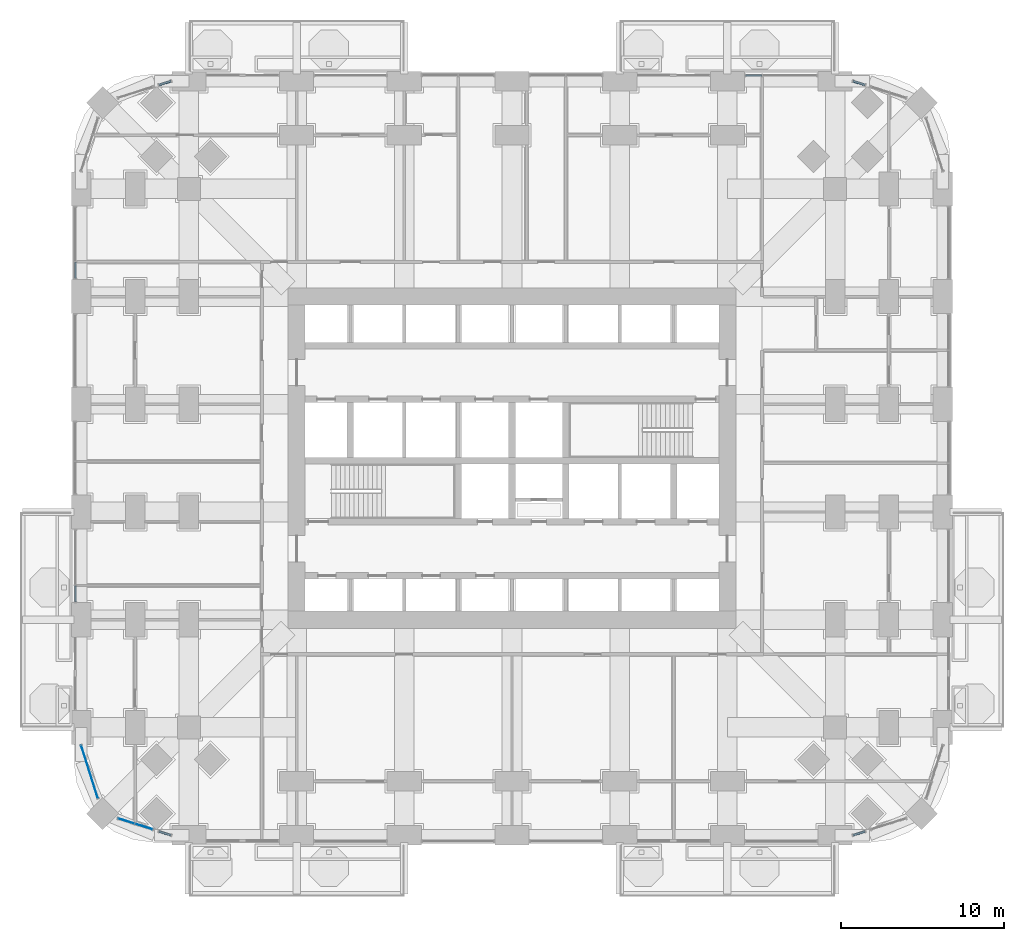
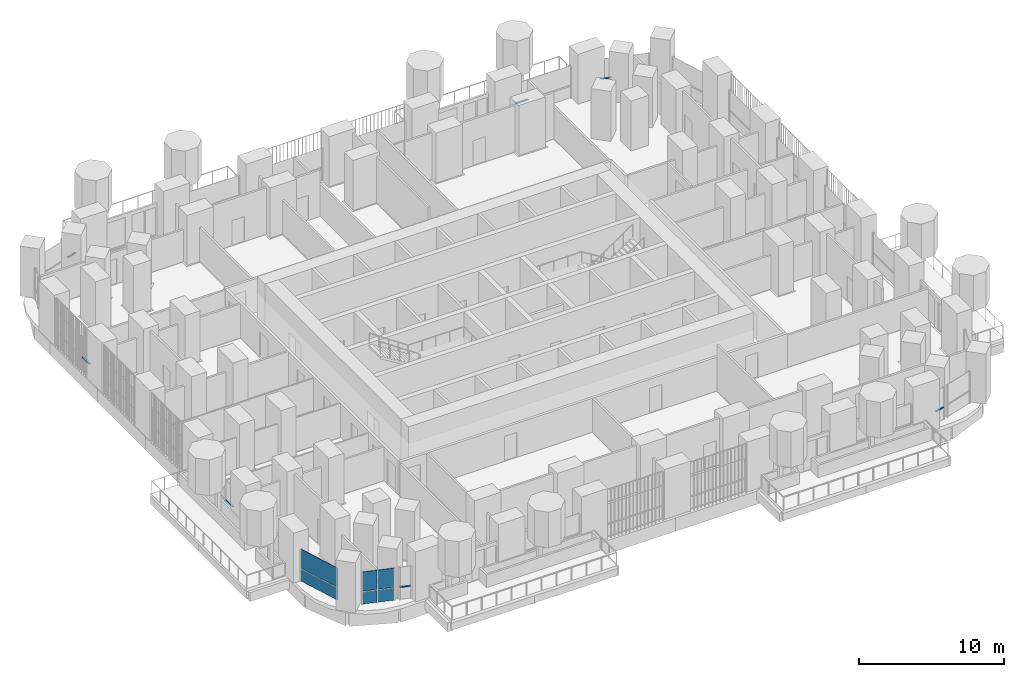
# One storey, part 11 of 27: 7 members, 6 plates, 9 elements without a shape of their own.
"""IFC4 building model written with IfcOpenShell, lengths in metres."""

from ifc_helpers import new_model, si_unit, direction, frame, origin, origin_2d, place, context, subcontext, project, spatial, rectangle, extrude, material, layer, layer_set, material_profile, profile_set, type_object, element, aggregate, save


model = new_model("IFC4")

# Units and contexts
model_context = context("Model", 3, precision=1e-05, world=origin(), true_north=direction((0.0, 1.0)))
body_context = subcontext(model_context, "Body", "Model", "MODEL_VIEW")
ifc_project = project(units=[si_unit("LENGTHUNIT", "METRE"), si_unit("AREAUNIT", "SQUARE_METRE"), si_unit("VOLUMEUNIT", "CUBIC_METRE"), si_unit("PLANEANGLEUNIT", "RADIAN"), si_unit("MASSUNIT", "GRAM", prefix="KILO")], contexts=[model_context])

# Site, building, storey
site_placement = place(None, origin())
site = spatial("IfcSite", under=ifc_project, at=site_placement, CompositionType="ELEMENT")
building_placement = place(site_placement, origin())
building = spatial("IfcBuilding", under=site, at=building_placement, Name="Cobogo Forest Laboratory Tower", CompositionType="ELEMENT")
storey_placement = place(building_placement, frame((0.0, 0.0, 29.699951171875)))
storey = spatial("IfcBuildingStorey", under=building, at=storey_placement, Name="L06", CompositionType="ELEMENT", Elevation=29.699951171875)

# Curtain wall, member
ifc_material_1 = material(Name="Aluminium curtain wall", Category="aluminium")
curtain_wall_type = type_object("IfcCurtainWallType", Name="CW-1 unitised curtain wall, clear glazing, laboratory floors zones A and B", PredefinedType="USERDEFINED", material=ifc_material_1)
curtain_wall_1_placement = place(storey_placement, origin())
curtain_wall_1 = element("IfcCurtainWall", 1, at=curtain_wall_1_placement, inside=storey, type_object=curtain_wall_type, Name="Curtain wall 07 L06", ObjectType="UNITISED CURTAIN WALL", PredefinedType="USERDEFINED")
ifc_material_2 = material(Name="Aluminium transom", Category="aluminium")
ifc_material_profile = material_profile(ifc_material_2, rectangle(XDim=0.1201171875, YDim=0.06005859375, at=origin_2d()), Name="AL 60x120")
ifc_profile_set = profile_set([ifc_material_profile], Name="Aluminium transom")
member_type = type_object("IfcMemberType", Name="TR-1 aluminium transom 60x120", PredefinedType="USERDEFINED", material=ifc_profile_set)
member_1_placement = place(storey_placement, frame((47.30712890625, -0.000244140625, 1.050048828125), z_axis=(0.95359247203, 0.301100311005, 0.0), x_axis=(-0.301100311005, 0.95359247203, 0.0)))
member_1 = element("IfcMember", 2, at=member_1_placement, type_object=member_type, Name="CW-1 transom 1.1", ObjectType="TRANSOM", PredefinedType="USERDEFINED", context=body_context, shape_type="SweptSolid", body=[
    extrude(rectangle(XDim=0.1201171875, YDim=0.06005859375, at=origin_2d()), origin(), (0.0, 0.0, 1.0), 0.75244140625),
])
aggregate(curtain_wall_1, [member_1])

curtain_wall_2_placement = place(storey_placement, origin())
curtain_wall_2 = element("IfcCurtainWall", 3, at=curtain_wall_2_placement, inside=storey, type_object=curtain_wall_type, Name="Curtain wall 17 L06", ObjectType="UNITISED CURTAIN WALL", PredefinedType="USERDEFINED")
member_2_placement = place(storey_placement, frame((48.024658203125, 45.973876953125, 1.050048828125), z_axis=(-0.95359247203, 0.301100311005, 0.0), x_axis=(-0.301100311005, -0.95359247203, 0.0)))
member_2 = element("IfcMember", 4, at=member_2_placement, type_object=member_type, Name="CW-1 transom 1.1", ObjectType="TRANSOM", PredefinedType="USERDEFINED", context=body_context, shape_type="SweptSolid", body=[
    extrude(rectangle(XDim=0.1201171875, YDim=0.06005859375, at=origin_2d()), origin(), (0.0, 0.0, 1.0), 0.75244140625),
])
aggregate(curtain_wall_2, [member_2])

curtain_wall_3_placement = place(storey_placement, origin())
curtain_wall_3 = element("IfcCurtainWall", 5, at=curtain_wall_3_placement, inside=storey, type_object=curtain_wall_type, Name="Curtain wall 18 L06", ObjectType="UNITISED CURTAIN WALL", PredefinedType="USERDEFINED")
member_3_placement = place(storey_placement, frame((41.695068359375, 46.550048828125, 1.050048828125), z_axis=(-1.0, 0.0, 0.0), x_axis=(0.0, -1.0, 0.0)))
member_3 = element("IfcMember", 6, at=member_3_placement, type_object=member_type, Name="CW-1 transom 2.1", ObjectType="TRANSOM", PredefinedType="USERDEFINED", context=body_context, shape_type="SweptSolid", body=[
    extrude(rectangle(XDim=0.1201171875, YDim=0.06005859375, at=origin_2d()), origin(), (0.0, 0.0, 1.0), 0.985107421875),
])
aggregate(curtain_wall_3, [member_3])

curtain_wall_4_placement = place(storey_placement, origin())
curtain_wall_4 = element("IfcCurtainWall", 7, at=curtain_wall_4_placement, inside=storey, type_object=curtain_wall_type, Name="Curtain wall 24 L06", ObjectType="UNITISED CURTAIN WALL", PredefinedType="USERDEFINED")
member_4_placement = place(storey_placement, frame((5.49267578125, 46.200439453125, 1.050048828125), z_axis=(-0.953563042236, -0.301193500066, 0.0), x_axis=(0.301193500066, -0.953563042236, 0.0)))
member_4 = element("IfcMember", 8, at=member_4_placement, type_object=member_type, Name="CW-1 transom 1.1", ObjectType="TRANSOM", PredefinedType="USERDEFINED", context=body_context, shape_type="SweptSolid", body=[
    extrude(rectangle(XDim=0.1201171875, YDim=0.06005859375, at=origin_2d()), origin(), (0.0, 0.0, 1.0), 0.752197265625),
])
aggregate(curtain_wall_4, [member_4])

curtain_wall_5_placement = place(storey_placement, origin())
curtain_wall_5 = element("IfcCurtainWall", 9, at=curtain_wall_5_placement, inside=storey, type_object=curtain_wall_type, Name="Curtain wall 27 L06", ObjectType="UNITISED CURTAIN WALL", PredefinedType="USERDEFINED")
member_5_placement = place(storey_placement, frame((-0.35009765625, 35.094970703125, 1.050048828125), z_axis=(0.0, -1.0, 0.0), x_axis=(1.0, 0.0, 0.0)))
member_5 = element("IfcMember", 10, at=member_5_placement, type_object=member_type, Name="CW-1 transom 2.1", ObjectType="TRANSOM", PredefinedType="USERDEFINED", context=body_context, shape_type="SweptSolid", body=[
    extrude(rectangle(XDim=0.1201171875, YDim=0.06005859375, at=origin_2d()), origin(), (0.0, 0.0, 1.0), 0.98486328125),
])
aggregate(curtain_wall_5, [member_5])

curtain_wall_6_placement = place(storey_placement, origin())
curtain_wall_6 = element("IfcCurtainWall", 11, at=curtain_wall_6_placement, inside=storey, type_object=curtain_wall_type, Name="Curtain wall 30 L06", ObjectType="UNITISED CURTAIN WALL", PredefinedType="USERDEFINED")
member_6_placement = place(storey_placement, frame((-0.35009765625, 15.27001953125, 1.050048828125), z_axis=(0.0, -1.0, 0.0), x_axis=(1.0, 0.0, 0.0)))
member_6 = element("IfcMember", 12, at=member_6_placement, type_object=member_type, Name="CW-1 transom 2.1", ObjectType="TRANSOM", PredefinedType="USERDEFINED", context=body_context, shape_type="SweptSolid", body=[
    extrude(rectangle(XDim=0.1201171875, YDim=0.06005859375, at=origin_2d()), origin(), (0.0, 0.0, 1.0), 0.9599609375),
])
aggregate(curtain_wall_6, [member_6])

curtain_wall_7_placement = place(storey_placement, origin())
curtain_wall_7 = element("IfcCurtainWall", 13, at=curtain_wall_7_placement, inside=storey, type_object=curtain_wall_type, Name="Curtain wall 34 L06", ObjectType="UNITISED CURTAIN WALL", PredefinedType="USERDEFINED")
member_7_placement = place(storey_placement, frame((4.775390625, 0.226318359375, 1.050048828125), z_axis=(0.953563042236, -0.301193500066, 0.0), x_axis=(0.301193500066, 0.953563042236, 0.0)))
member_7 = element("IfcMember", 14, at=member_7_placement, type_object=member_type, Name="CW-1 transom 1.1", ObjectType="TRANSOM", PredefinedType="USERDEFINED", context=body_context, shape_type="SweptSolid", body=[
    extrude(rectangle(XDim=0.1201171875, YDim=0.06005859375, at=origin_2d()), origin(), (0.0, 0.0, 1.0), 0.752197265625),
])
aggregate(curtain_wall_7, [member_7])

# Curtain wall, plates
curtain_wall_8_placement = place(storey_placement, origin())
curtain_wall_8 = element("IfcCurtainWall", 15, at=curtain_wall_8_placement, inside=storey, type_object=curtain_wall_type, Name="Curtain wall 32 L06", ObjectType="UNITISED CURTAIN WALL", PredefinedType="USERDEFINED")
ifc_material_3 = material(Name="Clear insulated glass", Category="glass")
ifc_layer = layer(ifc_material_3, 0.028076171875)
ifc_layer_set = layer_set([ifc_layer], Name="GP-1 clear insulated glass unit 28")
plate_type = type_object("IfcPlateType", Name="GP-1 clear insulated glass unit 28", PredefinedType="CURTAIN_PANEL", material=ifc_layer_set)
plate_1_placement = place(storey_placement, frame((0.509033203125, 3.880126953125, 0.0), z_axis=(0.0, 0.0, 1.0), x_axis=(0.30113535792, -0.95358140513, 0.0)))
plate_1 = element("IfcPlate", 16, at=plate_1_placement, type_object=plate_type, Name="CW-1 panel 1.1", PredefinedType="CURTAIN_PANEL", context=body_context, shape_type="SweptSolid", body=[
    extrude(rectangle(XDim=3.382568359375, YDim=0.028076171875, at=origin_2d()), origin(), (0.0, 0.0, 1.0), 1.02001953125),
])
plate_2_placement = place(storey_placement, frame((0.509033203125, 3.880126953125, 1.080078125), z_axis=(0.0, 0.0, 1.0), x_axis=(0.30113535792, -0.95358140513, 0.0)))
plate_2 = element("IfcPlate", 17, at=plate_2_placement, type_object=plate_type, Name="CW-1 panel 1.2", PredefinedType="CURTAIN_PANEL", context=body_context, shape_type="SweptSolid", body=[
    extrude(rectangle(XDim=3.382568359375, YDim=0.028076171875, at=origin_2d()), origin(), (0.0, 0.0, 1.0), 1.6201171875),
])
aggregate(curtain_wall_8, [plate_1, plate_2])

curtain_wall_9_placement = place(storey_placement, origin())
curtain_wall_9 = element("IfcCurtainWall", 18, at=curtain_wall_9_placement, inside=storey, type_object=curtain_wall_type, Name="Curtain wall 33 L06", ObjectType="UNITISED CURTAIN WALL", PredefinedType="USERDEFINED")
plate_3_placement = place(storey_placement, frame((2.75732421875, 0.863525390625, 0.0), z_axis=(0.0, 0.0, 1.0), x_axis=(0.953581409645, -0.301135343623, 0.0)))
plate_3 = element("IfcPlate", 19, at=plate_3_placement, type_object=plate_type, Name="CW-1 panel 1.1", PredefinedType="CURTAIN_PANEL", context=body_context, shape_type="SweptSolid", body=[
    extrude(rectangle(XDim=1.027587890625, YDim=0.028076171875, at=origin_2d()), origin(), (0.0, 0.0, 1.0), 1.02001953125),
])
plate_4_placement = place(storey_placement, frame((2.75732421875, 0.863525390625, 1.080078125), z_axis=(0.0, 0.0, 1.0), x_axis=(0.953581409645, -0.301135343623, 0.0)))
plate_4 = element("IfcPlate", 20, at=plate_4_placement, type_object=plate_type, Name="CW-1 panel 1.2", PredefinedType="CURTAIN_PANEL", context=body_context, shape_type="SweptSolid", body=[
    extrude(rectangle(XDim=1.027587890625, YDim=0.028076171875, at=origin_2d()), origin(), (0.0, 0.0, 1.0), 1.6201171875),
])
plate_5_placement = place(storey_placement, frame((3.83642578125, 0.522705078125, 0.0), z_axis=(0.0, 0.0, 1.0), x_axis=(0.953581409645, -0.301135343623, 0.0)))
plate_5 = element("IfcPlate", 21, at=plate_5_placement, type_object=plate_type, Name="CW-1 panel 2.1", PredefinedType="CURTAIN_PANEL", context=body_context, shape_type="SweptSolid", body=[
    extrude(rectangle(XDim=1.11572265625, YDim=0.028076171875, at=origin_2d()), origin(), (0.0, 0.0, 1.0), 1.02001953125),
])
plate_6_placement = place(storey_placement, frame((3.83642578125, 0.522705078125, 1.080078125), z_axis=(0.0, 0.0, 1.0), x_axis=(0.953581409645, -0.301135343623, 0.0)))
plate_6 = element("IfcPlate", 22, at=plate_6_placement, type_object=plate_type, Name="CW-1 panel 2.2", PredefinedType="CURTAIN_PANEL", context=body_context, shape_type="SweptSolid", body=[
    extrude(rectangle(XDim=1.11572265625, YDim=0.028076171875, at=origin_2d()), origin(), (0.0, 0.0, 1.0), 1.6201171875),
])
aggregate(curtain_wall_9, [plate_3, plate_4, plate_5, plate_6])

save(model, "model.ifc")
